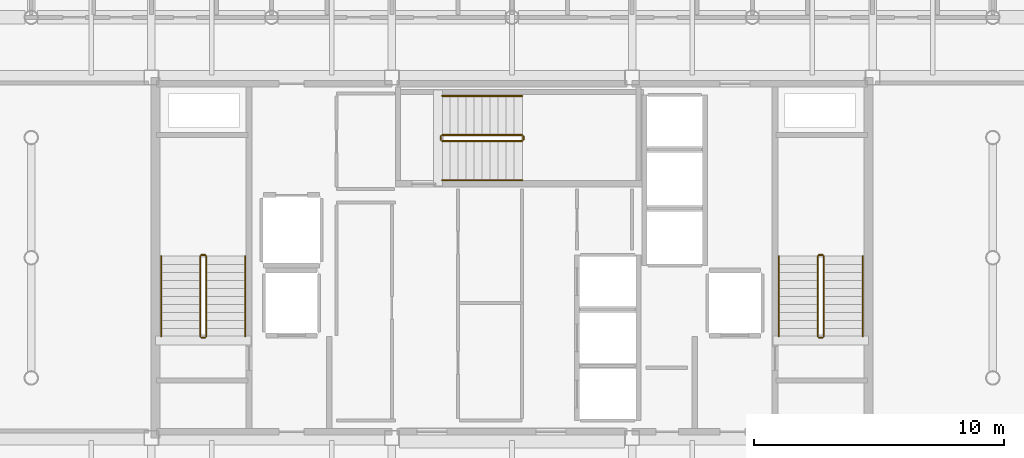
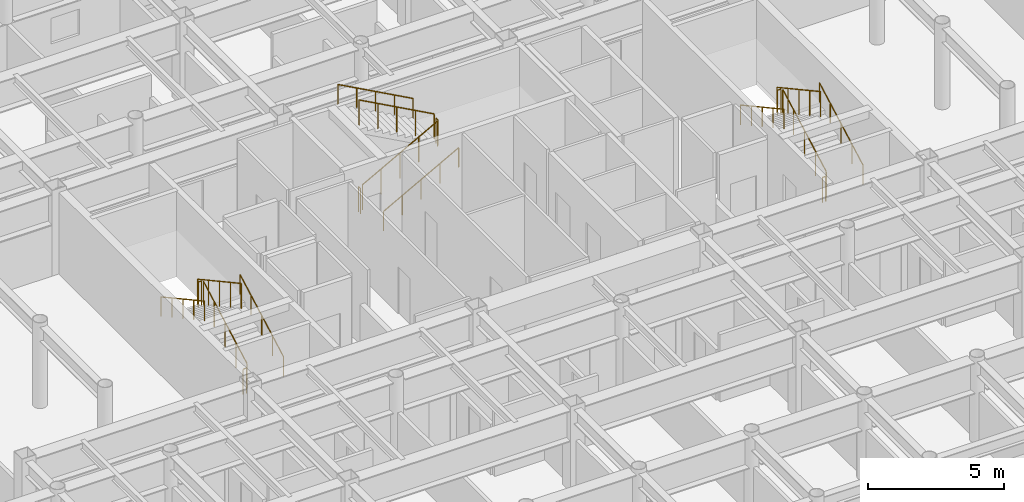
# One storey, part 22 of 22: 18 railings.
"""IFC4 building model written with IfcOpenShell, lengths in metres."""

from ifc_helpers import new_model, si_unit, direction, frame, origin, origin_2d, place, context, subcontext, project, spatial, circle, extrude, material, layer, layer_set, type_object, element, save


model = new_model("IFC4")

# Units and contexts
model_context = context("Model", 3, precision=1e-05, world=origin(), true_north=direction((0.0, 1.0)))
body_context = subcontext(model_context, "Body", "Model", "MODEL_VIEW")
ifc_project = project(units=[si_unit("LENGTHUNIT", "METRE"), si_unit("AREAUNIT", "SQUARE_METRE"), si_unit("VOLUMEUNIT", "CUBIC_METRE"), si_unit("PLANEANGLEUNIT", "RADIAN"), si_unit("MASSUNIT", "GRAM", prefix="KILO")], contexts=[model_context])

# Site, building, storey
site_placement = place(None, origin())
site = spatial("IfcSite", under=ifc_project, at=site_placement, CompositionType="ELEMENT")
building_placement = place(site_placement, origin())
building = spatial("IfcBuilding", under=site, at=building_placement, Name="Kallvorn Hotel Tower", CompositionType="ELEMENT")
storey_placement = place(building_placement, frame((0.0, 0.0, 191.5)))
storey = spatial("IfcBuildingStorey", under=building, at=storey_placement, Name="L47", CompositionType="ELEMENT", Elevation=191.5)

# Railings
ifc_material_1 = material(Name="Brushed stainless-steel tubular railing", Category="steel")
ifc_layer_1 = layer(ifc_material_1, 0.050048828125)
ifc_layer_set_1 = layer_set([ifc_layer_1], Name="RL_STAIR_GUARD")
railing_type_1 = type_object("IfcRailingType", Name="RL_STAIR_GUARD", PredefinedType="GUARDRAIL", material=ifc_layer_set_1)
railing_1_placement = place(storey_placement, frame((-12.2099609375, -3.139892578125, 0.175048828125)))
element("IfcRailing", 1, at=railing_1_placement, inside=storey, type_object=railing_type_1, Name="L47 ST1 stair guard 1", PredefinedType="GUARDRAIL", context=body_context, shape_type="SweptSolid", body=[
    extrude(circle(Radius=0.02392578125, at=origin_2d()), frame((0.0, 0.0, 1.1259765625), z_axis=(0.0, 0.877368057402, 0.479817977833), x_axis=(-1.0, 0.0, 0.0)), (0.0, 0.0, 1.0), 3.647216796875),
    extrude(circle(Radius=0.02099609375, at=origin_2d()), origin(), (0.0, 0.0, 1.0), 1.101806640625),
    extrude(circle(Radius=0.02099609375, at=origin_2d()), frame((0.0, 0.800048828125, 0.4375)), (0.0, 0.0, 1.0), 1.101806640625),
    extrude(circle(Radius=0.02099609375, at=origin_2d()), frame((0.0, 1.60009765625, 0.875)), (0.0, 0.0, 1.0), 1.101806640625),
    extrude(circle(Radius=0.02099609375, at=origin_2d()), frame((0.0, 2.39990234375, 1.3125)), (0.0, 0.0, 1.0), 1.101806640625),
    extrude(circle(Radius=0.02099609375, at=origin_2d()), frame((0.0, 3.199951171875, 1.75)), (0.0, 0.0, 1.0), 1.101806640625),
])
railing_2_placement = place(storey_placement, frame((-12.260009765625, 0.110107421875, 1.925048828125)))
element("IfcRailing", 2, at=railing_2_placement, inside=storey, type_object=railing_type_1, Name="L47 ST1 stair guard 2", PredefinedType="GUARDRAIL", context=body_context, shape_type="SweptSolid", body=[
    extrude(circle(Radius=0.02392578125, at=origin_2d()), frame((0.0, 0.0, 1.1259765625), z_axis=(-1.0, 0.0, 0.0), x_axis=(0.0, -1.0, 0.0)), (0.0, 0.0, 1.0), 0.139892578125),
    extrude(circle(Radius=0.02099609375, at=origin_2d()), origin(), (0.0, 0.0, 1.0), 1.101806640625),
    extrude(circle(Radius=0.02099609375, at=origin_2d()), frame((-0.139892578125, 0.0, 0.0)), (0.0, 0.0, 1.0), 1.101806640625),
])
railing_3_placement = place(storey_placement, frame((-12.449951171875, 0.06005859375, 2.10009765625)))
element("IfcRailing", 3, at=railing_3_placement, inside=storey, type_object=railing_type_1, Name="L47 ST1 stair guard 3", PredefinedType="GUARDRAIL", context=body_context, shape_type="SweptSolid", body=[
    extrude(circle(Radius=0.02392578125, at=origin_2d()), frame((0.0, 0.0, 1.1259765625), z_axis=(0.0, -0.877368057402, 0.479817977833), x_axis=(1.0, 0.0, 0.0)), (0.0, 0.0, 1.0), 3.647216796875),
    extrude(circle(Radius=0.02099609375, at=origin_2d()), origin(), (0.0, 0.0, 1.0), 1.101806640625),
    extrude(circle(Radius=0.02099609375, at=origin_2d()), frame((0.0, -0.800048828125, 0.4375)), (0.0, 0.0, 1.0), 1.101806640625),
    extrude(circle(Radius=0.02099609375, at=origin_2d()), frame((0.0, -1.60009765625, 0.875)), (0.0, 0.0, 1.0), 1.101806640625),
    extrude(circle(Radius=0.02099609375, at=origin_2d()), frame((0.0, -2.39990234375, 1.3125)), (0.0, 0.0, 1.0), 1.101806640625),
    extrude(circle(Radius=0.02099609375, at=origin_2d()), frame((0.0, -3.199951171875, 1.75)), (0.0, 0.0, 1.0), 1.101806640625),
])
railing_4_placement = place(storey_placement, frame((-12.260009765625, -3.18994140625, 0.0)))
element("IfcRailing", 4, at=railing_4_placement, inside=storey, type_object=railing_type_1, Name="L47 ST1 stair guard 4", PredefinedType="GUARDRAIL", context=body_context, shape_type="SweptSolid", body=[
    extrude(circle(Radius=0.02392578125, at=origin_2d()), frame((0.0, 0.0, 1.1259765625), z_axis=(-1.0, 0.0, 0.0), x_axis=(0.0, -1.0, 0.0)), (0.0, 0.0, 1.0), 0.139892578125),
    extrude(circle(Radius=0.02099609375, at=origin_2d()), origin(), (0.0, 0.0, 1.0), 1.101806640625),
    extrude(circle(Radius=0.02099609375, at=origin_2d()), frame((-0.139892578125, 0.0, 0.0)), (0.0, 0.0, 1.0), 1.101806640625),
])
railing_5_placement = place(storey_placement, frame((12.449951171875, -3.139892578125, 0.175048828125)))
element("IfcRailing", 5, at=railing_5_placement, inside=storey, type_object=railing_type_1, Name="L47 ST2 stair guard 1", PredefinedType="GUARDRAIL", context=body_context, shape_type="SweptSolid", body=[
    extrude(circle(Radius=0.02392578125, at=origin_2d()), frame((0.0, 0.0, 1.1259765625), z_axis=(0.0, 0.877368057402, 0.479817977833), x_axis=(-1.0, 0.0, 0.0)), (0.0, 0.0, 1.0), 3.647216796875),
    extrude(circle(Radius=0.02099609375, at=origin_2d()), origin(), (0.0, 0.0, 1.0), 1.101806640625),
    extrude(circle(Radius=0.02099609375, at=origin_2d()), frame((0.0, 0.800048828125, 0.4375)), (0.0, 0.0, 1.0), 1.101806640625),
    extrude(circle(Radius=0.02099609375, at=origin_2d()), frame((0.0, 1.60009765625, 0.875)), (0.0, 0.0, 1.0), 1.101806640625),
    extrude(circle(Radius=0.02099609375, at=origin_2d()), frame((0.0, 2.39990234375, 1.3125)), (0.0, 0.0, 1.0), 1.101806640625),
    extrude(circle(Radius=0.02099609375, at=origin_2d()), frame((0.0, 3.199951171875, 1.75)), (0.0, 0.0, 1.0), 1.101806640625),
])
railing_6_placement = place(storey_placement, frame((12.39990234375, 0.110107421875, 1.925048828125)))
element("IfcRailing", 6, at=railing_6_placement, inside=storey, type_object=railing_type_1, Name="L47 ST2 stair guard 2", PredefinedType="GUARDRAIL", context=body_context, shape_type="SweptSolid", body=[
    extrude(circle(Radius=0.02392578125, at=origin_2d()), frame((0.0, 0.0, 1.1259765625), z_axis=(-1.0, 0.0, 0.0), x_axis=(0.0, -1.0, 0.0)), (0.0, 0.0, 1.0), 0.139892578125),
    extrude(circle(Radius=0.02099609375, at=origin_2d()), origin(), (0.0, 0.0, 1.0), 1.101806640625),
    extrude(circle(Radius=0.02099609375, at=origin_2d()), frame((-0.139892578125, 0.0, 0.0)), (0.0, 0.0, 1.0), 1.101806640625),
])
railing_7_placement = place(storey_placement, frame((12.2099609375, 0.06005859375, 2.10009765625)))
element("IfcRailing", 7, at=railing_7_placement, inside=storey, type_object=railing_type_1, Name="L47 ST2 stair guard 3", PredefinedType="GUARDRAIL", context=body_context, shape_type="SweptSolid", body=[
    extrude(circle(Radius=0.02392578125, at=origin_2d()), frame((0.0, 0.0, 1.1259765625), z_axis=(0.0, -0.877368057402, 0.479817977833), x_axis=(1.0, 0.0, 0.0)), (0.0, 0.0, 1.0), 3.647216796875),
    extrude(circle(Radius=0.02099609375, at=origin_2d()), origin(), (0.0, 0.0, 1.0), 1.101806640625),
    extrude(circle(Radius=0.02099609375, at=origin_2d()), frame((0.0, -0.800048828125, 0.4375)), (0.0, 0.0, 1.0), 1.101806640625),
    extrude(circle(Radius=0.02099609375, at=origin_2d()), frame((0.0, -1.60009765625, 0.875)), (0.0, 0.0, 1.0), 1.101806640625),
    extrude(circle(Radius=0.02099609375, at=origin_2d()), frame((0.0, -2.39990234375, 1.3125)), (0.0, 0.0, 1.0), 1.101806640625),
    extrude(circle(Radius=0.02099609375, at=origin_2d()), frame((0.0, -3.199951171875, 1.75)), (0.0, 0.0, 1.0), 1.101806640625),
])
railing_8_placement = place(storey_placement, frame((12.39990234375, -3.18994140625, 0.0)))
element("IfcRailing", 8, at=railing_8_placement, inside=storey, type_object=railing_type_1, Name="L47 ST2 stair guard 4", PredefinedType="GUARDRAIL", context=body_context, shape_type="SweptSolid", body=[
    extrude(circle(Radius=0.02392578125, at=origin_2d()), frame((0.0, 0.0, 1.1259765625), z_axis=(-1.0, 0.0, 0.0), x_axis=(0.0, -1.0, 0.0)), (0.0, 0.0, 1.0), 0.139892578125),
    extrude(circle(Radius=0.02099609375, at=origin_2d()), origin(), (0.0, 0.0, 1.0), 1.101806640625),
    extrude(circle(Radius=0.02099609375, at=origin_2d()), frame((-0.139892578125, 0.0, 0.0)), (0.0, 0.0, 1.0), 1.101806640625),
])
railing_9_placement = place(storey_placement, frame((-2.7900390625, 4.659912109375, 0.175048828125)))
element("IfcRailing", 9, at=railing_9_placement, inside=storey, type_object=railing_type_1, Name="L47 ST3 stair guard 1", PredefinedType="GUARDRAIL", context=body_context, shape_type="SweptSolid", body=[
    extrude(circle(Radius=0.02392578125, at=origin_2d()), frame((0.0, 0.0, 1.1259765625), z_axis=(0.877368057402, 0.0, 0.479817977833), x_axis=(0.0, 1.0, 0.0)), (0.0, 0.0, 1.0), 3.647216796875),
    extrude(circle(Radius=0.02099609375, at=origin_2d()), origin(), (0.0, 0.0, 1.0), 1.101806640625),
    extrude(circle(Radius=0.02099609375, at=origin_2d()), frame((0.800048828125, 0.0, 0.4375)), (0.0, 0.0, 1.0), 1.101806640625),
    extrude(circle(Radius=0.02099609375, at=origin_2d()), frame((1.60009765625, 0.0, 0.875)), (0.0, 0.0, 1.0), 1.101806640625),
    extrude(circle(Radius=0.02099609375, at=origin_2d()), frame((2.39990234375, 0.0, 1.3125)), (0.0, 0.0, 1.0), 1.101806640625),
    extrude(circle(Radius=0.02099609375, at=origin_2d()), frame((3.199951171875, 0.0, 1.75)), (0.0, 0.0, 1.0), 1.101806640625),
])
railing_10_placement = place(storey_placement, frame((0.4599609375, 4.7099609375, 1.925048828125)))
element("IfcRailing", 10, at=railing_10_placement, inside=storey, type_object=railing_type_1, Name="L47 ST3 stair guard 2", PredefinedType="GUARDRAIL", context=body_context, shape_type="SweptSolid", body=[
    extrude(circle(Radius=0.02392578125, at=origin_2d()), frame((0.0, 0.0, 1.1259765625), z_axis=(0.0, 1.0, 0.0), x_axis=(-1.0, 0.0, 0.0)), (0.0, 0.0, 1.0), 0.14013671875),
    extrude(circle(Radius=0.02099609375, at=origin_2d()), origin(), (0.0, 0.0, 1.0), 1.101806640625),
    extrude(circle(Radius=0.02099609375, at=origin_2d()), frame((0.0, 0.14013671875, 0.0)), (0.0, 0.0, 1.0), 1.101806640625),
])
railing_11_placement = place(storey_placement, frame((0.409912109375, 4.89990234375, 2.10009765625)))
element("IfcRailing", 11, at=railing_11_placement, inside=storey, type_object=railing_type_1, Name="L47 ST3 stair guard 3", PredefinedType="GUARDRAIL", context=body_context, shape_type="SweptSolid", body=[
    extrude(circle(Radius=0.02392578125, at=origin_2d()), frame((0.0, 0.0, 1.1259765625), z_axis=(-0.877368057402, 0.0, 0.479817977833), x_axis=(0.0, -1.0, 0.0)), (0.0, 0.0, 1.0), 3.647216796875),
    extrude(circle(Radius=0.02099609375, at=origin_2d()), origin(), (0.0, 0.0, 1.0), 1.101806640625),
    extrude(circle(Radius=0.02099609375, at=origin_2d()), frame((-0.800048828125, 0.0, 0.4375)), (0.0, 0.0, 1.0), 1.101806640625),
    extrude(circle(Radius=0.02099609375, at=origin_2d()), frame((-1.60009765625, 0.0, 0.875)), (0.0, 0.0, 1.0), 1.101806640625),
    extrude(circle(Radius=0.02099609375, at=origin_2d()), frame((-2.39990234375, 0.0, 1.3125)), (0.0, 0.0, 1.0), 1.101806640625),
    extrude(circle(Radius=0.02099609375, at=origin_2d()), frame((-3.199951171875, 0.0, 1.75)), (0.0, 0.0, 1.0), 1.101806640625),
])
railing_12_placement = place(storey_placement, frame((-2.840087890625, 4.7099609375, 0.0)))
element("IfcRailing", 12, at=railing_12_placement, inside=storey, type_object=railing_type_1, Name="L47 ST3 stair guard 4", PredefinedType="GUARDRAIL", context=body_context, shape_type="SweptSolid", body=[
    extrude(circle(Radius=0.02392578125, at=origin_2d()), frame((0.0, 0.0, 1.1259765625), z_axis=(0.0, 1.0, 0.0), x_axis=(-1.0, 0.0, 0.0)), (0.0, 0.0, 1.0), 0.14013671875),
    extrude(circle(Radius=0.02099609375, at=origin_2d()), origin(), (0.0, 0.0, 1.0), 1.101806640625),
    extrude(circle(Radius=0.02099609375, at=origin_2d()), frame((0.0, 0.14013671875, 0.0)), (0.0, 0.0, 1.0), 1.101806640625),
])
ifc_material_2 = material(Name="Brushed stainless-steel tubular railing", Category="steel")
ifc_layer_2 = layer(ifc_material_2, 0.050048828125)
ifc_layer_set_2 = layer_set([ifc_layer_2], Name="RL_STAIR_HAND")
railing_type_2 = type_object("IfcRailingType", Name="RL_STAIR_HAND", PredefinedType="HANDRAIL", material=ifc_layer_set_2)
railing_13_placement = place(storey_placement, frame((-10.64990234375, -3.139892578125, 0.175048828125)))
element("IfcRailing", 13, at=railing_13_placement, inside=storey, type_object=railing_type_2, Name="L47 ST1 stair handrail 1", PredefinedType="HANDRAIL", context=body_context, shape_type="SweptSolid", body=[
    extrude(circle(Radius=0.02392578125, at=origin_2d()), frame((0.0, 0.0, 0.8759765625), z_axis=(0.0, 0.877368057402, 0.479817977833), x_axis=(-1.0, 0.0, 0.0)), (0.0, 0.0, 1.0), 3.647216796875),
    extrude(circle(Radius=0.02099609375, at=origin_2d()), origin(), (0.0, 0.0, 1.0), 0.851806640625),
    extrude(circle(Radius=0.02099609375, at=origin_2d()), frame((0.0, 0.800048828125, 0.4375)), (0.0, 0.0, 1.0), 0.851806640625),
    extrude(circle(Radius=0.02099609375, at=origin_2d()), frame((0.0, 1.60009765625, 0.875)), (0.0, 0.0, 1.0), 0.851806640625),
    extrude(circle(Radius=0.02099609375, at=origin_2d()), frame((0.0, 2.39990234375, 1.3125)), (0.0, 0.0, 1.0), 0.851806640625),
    extrude(circle(Radius=0.02099609375, at=origin_2d()), frame((0.0, 3.199951171875, 1.75)), (0.0, 0.0, 1.0), 0.851806640625),
])
railing_14_placement = place(storey_placement, frame((-14.010009765625, 0.06005859375, 2.10009765625)))
element("IfcRailing", 14, at=railing_14_placement, inside=storey, type_object=railing_type_2, Name="L47 ST1 stair handrail 2", PredefinedType="HANDRAIL", context=body_context, shape_type="SweptSolid", body=[
    extrude(circle(Radius=0.02392578125, at=origin_2d()), frame((0.0, 0.0, 0.8759765625), z_axis=(0.0, -0.877368057402, 0.479817977833), x_axis=(1.0, 0.0, 0.0)), (0.0, 0.0, 1.0), 3.647216796875),
    extrude(circle(Radius=0.02099609375, at=origin_2d()), origin(), (0.0, 0.0, 1.0), 0.851806640625),
    extrude(circle(Radius=0.02099609375, at=origin_2d()), frame((0.0, -0.800048828125, 0.4375)), (0.0, 0.0, 1.0), 0.851806640625),
    extrude(circle(Radius=0.02099609375, at=origin_2d()), frame((0.0, -1.60009765625, 0.875)), (0.0, 0.0, 1.0), 0.851806640625),
    extrude(circle(Radius=0.02099609375, at=origin_2d()), frame((0.0, -2.39990234375, 1.3125)), (0.0, 0.0, 1.0), 0.851806640625),
    extrude(circle(Radius=0.02099609375, at=origin_2d()), frame((0.0, -3.199951171875, 1.75)), (0.0, 0.0, 1.0), 0.851806640625),
])
railing_15_placement = place(storey_placement, frame((14.010009765625, -3.139892578125, 0.175048828125)))
element("IfcRailing", 15, at=railing_15_placement, inside=storey, type_object=railing_type_2, Name="L47 ST2 stair handrail 1", PredefinedType="HANDRAIL", context=body_context, shape_type="SweptSolid", body=[
    extrude(circle(Radius=0.02392578125, at=origin_2d()), frame((0.0, 0.0, 0.8759765625), z_axis=(0.0, 0.877368057402, 0.479817977833), x_axis=(-1.0, 0.0, 0.0)), (0.0, 0.0, 1.0), 3.647216796875),
    extrude(circle(Radius=0.02099609375, at=origin_2d()), origin(), (0.0, 0.0, 1.0), 0.851806640625),
    extrude(circle(Radius=0.02099609375, at=origin_2d()), frame((0.0, 0.800048828125, 0.4375)), (0.0, 0.0, 1.0), 0.851806640625),
    extrude(circle(Radius=0.02099609375, at=origin_2d()), frame((0.0, 1.60009765625, 0.875)), (0.0, 0.0, 1.0), 0.851806640625),
    extrude(circle(Radius=0.02099609375, at=origin_2d()), frame((0.0, 2.39990234375, 1.3125)), (0.0, 0.0, 1.0), 0.851806640625),
    extrude(circle(Radius=0.02099609375, at=origin_2d()), frame((0.0, 3.199951171875, 1.75)), (0.0, 0.0, 1.0), 0.851806640625),
])
railing_16_placement = place(storey_placement, frame((10.64990234375, 0.06005859375, 2.10009765625)))
element("IfcRailing", 16, at=railing_16_placement, inside=storey, type_object=railing_type_2, Name="L47 ST2 stair handrail 2", PredefinedType="HANDRAIL", context=body_context, shape_type="SweptSolid", body=[
    extrude(circle(Radius=0.02392578125, at=origin_2d()), frame((0.0, 0.0, 0.8759765625), z_axis=(0.0, -0.877368057402, 0.479817977833), x_axis=(1.0, 0.0, 0.0)), (0.0, 0.0, 1.0), 3.647216796875),
    extrude(circle(Radius=0.02099609375, at=origin_2d()), origin(), (0.0, 0.0, 1.0), 0.851806640625),
    extrude(circle(Radius=0.02099609375, at=origin_2d()), frame((0.0, -0.800048828125, 0.4375)), (0.0, 0.0, 1.0), 0.851806640625),
    extrude(circle(Radius=0.02099609375, at=origin_2d()), frame((0.0, -1.60009765625, 0.875)), (0.0, 0.0, 1.0), 0.851806640625),
    extrude(circle(Radius=0.02099609375, at=origin_2d()), frame((0.0, -2.39990234375, 1.3125)), (0.0, 0.0, 1.0), 0.851806640625),
    extrude(circle(Radius=0.02099609375, at=origin_2d()), frame((0.0, -3.199951171875, 1.75)), (0.0, 0.0, 1.0), 0.851806640625),
])
railing_17_placement = place(storey_placement, frame((-2.7900390625, 3.10009765625, 0.175048828125)))
element("IfcRailing", 17, at=railing_17_placement, inside=storey, type_object=railing_type_2, Name="L47 ST3 stair handrail 1", PredefinedType="HANDRAIL", context=body_context, shape_type="SweptSolid", body=[
    extrude(circle(Radius=0.02392578125, at=origin_2d()), frame((0.0, 0.0, 0.8759765625), z_axis=(0.877368057402, 0.0, 0.479817977833), x_axis=(0.0, 1.0, 0.0)), (0.0, 0.0, 1.0), 3.647216796875),
    extrude(circle(Radius=0.02099609375, at=origin_2d()), origin(), (0.0, 0.0, 1.0), 0.851806640625),
    extrude(circle(Radius=0.02099609375, at=origin_2d()), frame((0.800048828125, 0.0, 0.4375)), (0.0, 0.0, 1.0), 0.851806640625),
    extrude(circle(Radius=0.02099609375, at=origin_2d()), frame((1.60009765625, 0.0, 0.875)), (0.0, 0.0, 1.0), 0.851806640625),
    extrude(circle(Radius=0.02099609375, at=origin_2d()), frame((2.39990234375, 0.0, 1.3125)), (0.0, 0.0, 1.0), 0.851806640625),
    extrude(circle(Radius=0.02099609375, at=origin_2d()), frame((3.199951171875, 0.0, 1.75)), (0.0, 0.0, 1.0), 0.851806640625),
])
railing_18_placement = place(storey_placement, frame((0.409912109375, 6.4599609375, 2.10009765625)))
element("IfcRailing", 18, at=railing_18_placement, inside=storey, type_object=railing_type_2, Name="L47 ST3 stair handrail 2", PredefinedType="HANDRAIL", context=body_context, shape_type="SweptSolid", body=[
    extrude(circle(Radius=0.02392578125, at=origin_2d()), frame((0.0, 0.0, 0.8759765625), z_axis=(-0.877368057402, 0.0, 0.479817977833), x_axis=(0.0, -1.0, 0.0)), (0.0, 0.0, 1.0), 3.647216796875),
    extrude(circle(Radius=0.02099609375, at=origin_2d()), origin(), (0.0, 0.0, 1.0), 0.851806640625),
    extrude(circle(Radius=0.02099609375, at=origin_2d()), frame((-0.800048828125, 0.0, 0.4375)), (0.0, 0.0, 1.0), 0.851806640625),
    extrude(circle(Radius=0.02099609375, at=origin_2d()), frame((-1.60009765625, 0.0, 0.875)), (0.0, 0.0, 1.0), 0.851806640625),
    extrude(circle(Radius=0.02099609375, at=origin_2d()), frame((-2.39990234375, 0.0, 1.3125)), (0.0, 0.0, 1.0), 0.851806640625),
    extrude(circle(Radius=0.02099609375, at=origin_2d()), frame((-3.199951171875, 0.0, 1.75)), (0.0, 0.0, 1.0), 0.851806640625),
])

save(model, "model.ifc")
